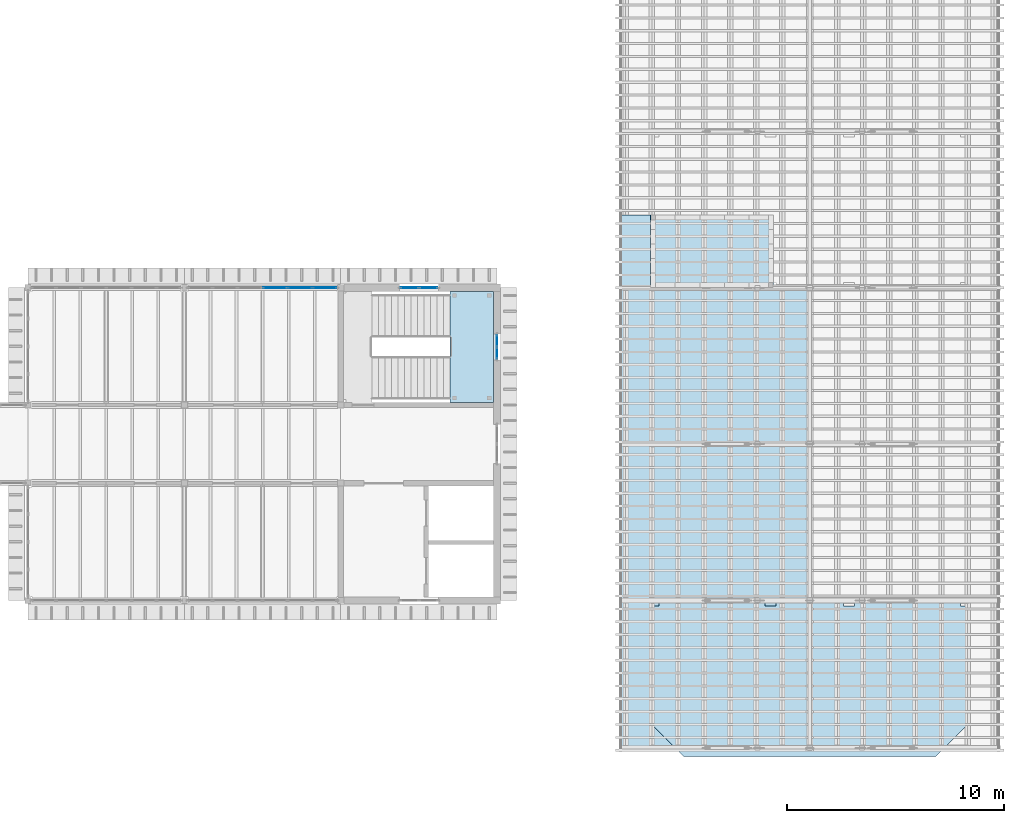
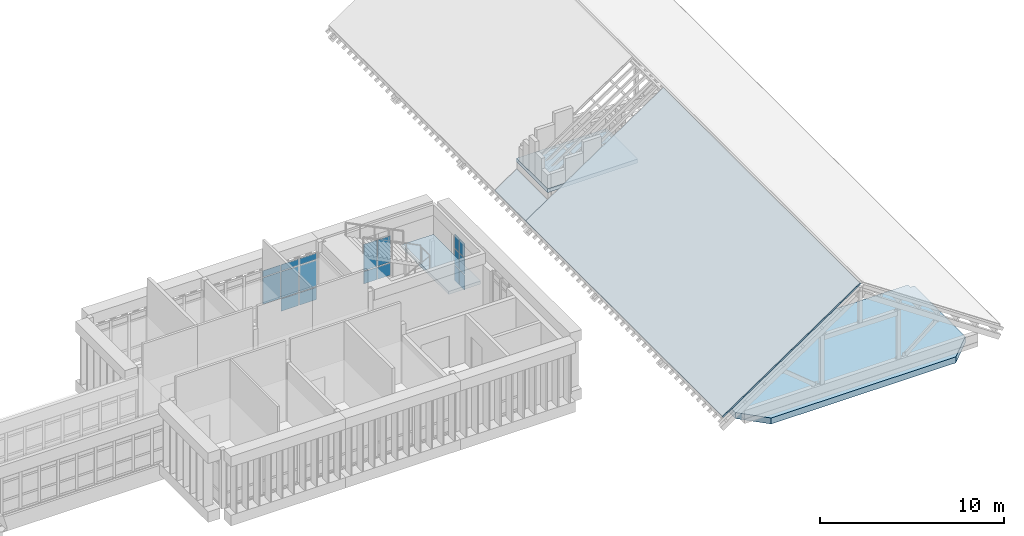
# One storey, part 28 of 51: 18 plates, 5 slabs, 4 elements without a shape of their own.
"""IFC4 building model written with IfcOpenShell, lengths in metres."""

from ifc_helpers import new_model, si_unit, direction, frame, origin, origin_2d, place, context, subcontext, project, spatial, polyline, rectangle, outline, extrude, material, layer, layer_set, type_object, element, aggregate, save


model = new_model("IFC4")

# Units and contexts
model_context = context("Model", 3, precision=1e-05, world=origin(), true_north=direction((0.0, 1.0)))
body_context = subcontext(model_context, "Body", "Model", "MODEL_VIEW")
ifc_project = project(units=[si_unit("LENGTHUNIT", "METRE"), si_unit("AREAUNIT", "SQUARE_METRE"), si_unit("VOLUMEUNIT", "CUBIC_METRE"), si_unit("PLANEANGLEUNIT", "RADIAN"), si_unit("MASSUNIT", "GRAM", prefix="KILO")], contexts=[model_context])

# Site, building, storey
site_placement = place(None, origin())
site = spatial("IfcSite", under=ifc_project, at=site_placement, CompositionType="ELEMENT")
building_placement = place(site_placement, origin())
building = spatial("IfcBuilding", under=site, at=building_placement, Name="Mazhai Court Health Centre", CompositionType="ELEMENT")
storey_placement = place(building_placement, frame((0.0, 0.0, 14.10009765625)))
storey = spatial("IfcBuildingStorey", under=building, at=storey_placement, Name="L03", CompositionType="ELEMENT", Elevation=14.10009765625)

# Slabs
ifc_material_1 = material(Name="CLT C24 3-ply", Category="wood")
ifc_layer_1 = layer(ifc_material_1, 0.10009765625)
ifc_layer_set_1 = layer_set([ifc_layer_1], Name="CLT C24 3-ply roof panel 100")
slab_type_1 = type_object("IfcSlabType", Name="CLT C24 3-ply roof panel 100", PredefinedType="ROOF", material=ifc_layer_set_1)
slab_1_placement = place(storey_placement, frame((142.944091796875, 6.449951171875, 6.496826171875), z_axis=(-0.559182466055, 0.0, 0.829044612585), x_axis=(-0.829044612585, 0.0, -0.559182466055)))
element("IfcSlab", 1, at=slab_1_placement, inside=storey, type_object=slab_type_1, Name="Roof slab RV6-RS1", PredefinedType="ROOF", context=body_context, shape_type="SweptSolid", body=[
    extrude(outline(polyline([(0.0, 0.0), (10.426511236585272, 0.0), (10.426511236585272, -21.35009765625), (0.0, -21.35009765625), (0.0, 0.0)])), origin(), (0.0, 0.0, -1.0), 0.10009765625),
])
slab_2_placement = place(storey_placement, frame((134.300048828125, 31.14990234375, 0.66650390625), z_axis=(-0.559209903354, 0.0, 0.829026105735), x_axis=(0.829026105735, 0.0, 0.559209903354)))
element("IfcSlab", 2, at=slab_2_placement, inside=storey, type_object=slab_type_1, Name="Roof slab RV6-RS1", PredefinedType="ROOF", context=body_context, shape_type="SweptSolid", body=[
    extrude(outline(polyline([(0.0, 0.0), (1.6585726197128037, 0.0), (1.6585726197128037, -3.349853515625), (0.0, -3.349853515625), (0.0, 0.0)])), origin(), (0.0, 0.0, -1.0), 0.10009765625),
])

# Curtain wall, plates
ifc_material_2 = material(Name="Teak timber frame, glazed", Category="wood")
ifc_layer_2 = layer(ifc_material_2, 0.10009765625)
ifc_layer_set_2 = layer_set([ifc_layer_2], Name="CURTAIN WALL TIMBER 900")
curtain_wall_type_1 = type_object("IfcCurtainWallType", Name="CURTAIN WALL TIMBER 900", PredefinedType="NOTDEFINED", material=ifc_layer_set_2)
curtain_wall_1_placement = place(storey_placement, origin())
curtain_wall_1 = element("IfcCurtainWall", 3, at=curtain_wall_1_placement, inside=storey, type_object=curtain_wall_type_1, Name="CW-V4-L03-B7", PredefinedType="NOTDEFINED")
ifc_material_3 = material(Name="Glass IGU 28 mm", Category="glass")
ifc_layer_3 = layer(ifc_material_3, 0.028076171875)
ifc_layer_set_3 = layer_set([ifc_layer_3], Name="CW PANEL IGU 28")
plate_type = type_object("IfcPlateType", Name="CW PANEL IGU 28", PredefinedType="CURTAIN_PANEL", material=ifc_layer_set_3)
plate_1_placement = place(storey_placement, frame((124.56494140625, 27.800048828125, 0.059814453125), z_axis=(0.0, 0.0, 1.0), x_axis=(1.0, 0.0, 0.0)))
plate_1 = element("IfcPlate", 4, at=plate_1_placement, type_object=plate_type, Name="CW panel 1.1", PredefinedType="CURTAIN_PANEL", context=body_context, shape_type="SweptSolid", body=[
    extrude(rectangle(XDim=0.81005859375, YDim=0.028076171875, at=origin_2d()), origin(), (0.0, 0.0, 1.0), 0.81005859375),
])
plate_2_placement = place(storey_placement, frame((124.56494140625, 27.800048828125, 0.9296875), z_axis=(0.0, 0.0, 1.0), x_axis=(1.0, 0.0, 0.0)))
plate_2 = element("IfcPlate", 5, at=plate_2_placement, type_object=plate_type, Name="CW panel 1.2", PredefinedType="CURTAIN_PANEL", context=body_context, shape_type="SweptSolid", body=[
    extrude(rectangle(XDim=0.81005859375, YDim=0.028076171875, at=origin_2d()), origin(), (0.0, 0.0, 1.0), 1.739990234375),
])
plate_3_placement = place(storey_placement, frame((125.43505859375, 27.800048828125, 0.059814453125), z_axis=(0.0, 0.0, 1.0), x_axis=(1.0, 0.0, 0.0)))
plate_3 = element("IfcPlate", 6, at=plate_3_placement, type_object=plate_type, Name="CW panel 2.1", PredefinedType="CURTAIN_PANEL", context=body_context, shape_type="SweptSolid", body=[
    extrude(rectangle(XDim=0.81005859375, YDim=0.028076171875, at=origin_2d()), origin(), (0.0, 0.0, 1.0), 0.81005859375),
])
plate_4_placement = place(storey_placement, frame((125.43505859375, 27.800048828125, 0.9296875), z_axis=(0.0, 0.0, 1.0), x_axis=(1.0, 0.0, 0.0)))
plate_4 = element("IfcPlate", 7, at=plate_4_placement, type_object=plate_type, Name="CW panel 2.2", PredefinedType="CURTAIN_PANEL", context=body_context, shape_type="SweptSolid", body=[
    extrude(rectangle(XDim=0.81005859375, YDim=0.028076171875, at=origin_2d()), origin(), (0.0, 0.0, 1.0), 1.739990234375),
])
aggregate(curtain_wall_1, [plate_1, plate_2, plate_3, plate_4])

ifc_material_4 = material(Name="Teak timber frame, glazed", Category="wood")
ifc_layer_4 = layer(ifc_material_4, 0.10009765625)
ifc_layer_set_4 = layer_set([ifc_layer_4], Name="CURTAIN WALL TIMBER 600")
curtain_wall_type_2 = type_object("IfcCurtainWallType", Name="CURTAIN WALL TIMBER 600", PredefinedType="NOTDEFINED", material=ifc_layer_set_4)
curtain_wall_2_placement = place(storey_placement, origin())
curtain_wall_2 = element("IfcCurtainWall", 8, at=curtain_wall_2_placement, inside=storey, type_object=curtain_wall_type_2, Name="CW-V4-L03-ESTAIR1", PredefinedType="NOTDEFINED")
plate_5_placement = place(storey_placement, frame((128.60009765625, 25.364990234375, 0.06005859375), z_axis=(0.0, 0.0, 1.0), x_axis=(0.0, -1.0, 0.0)))
plate_5 = element("IfcPlate", 9, at=plate_5_placement, type_object=plate_type, Name="CW panel 1.1", PredefinedType="CURTAIN_PANEL", context=body_context, shape_type="SweptSolid", body=[
    extrude(rectangle(XDim=0.510009765625, YDim=0.028076171875, at=origin_2d()), origin(), (0.0, 0.0, 1.0), 1.010009765625),
])
plate_6_placement = place(storey_placement, frame((128.60009765625, 25.364990234375, 1.1298828125), z_axis=(0.0, 0.0, 1.0), x_axis=(0.0, -1.0, 0.0)))
plate_6 = element("IfcPlate", 10, at=plate_6_placement, type_object=plate_type, Name="CW panel 1.2", PredefinedType="CURTAIN_PANEL", context=body_context, shape_type="SweptSolid", body=[
    extrude(rectangle(XDim=0.510009765625, YDim=0.028076171875, at=origin_2d()), origin(), (0.0, 0.0, 1.0), 1.0400390625),
])
plate_7_placement = place(storey_placement, frame((128.60009765625, 25.364990234375, 2.22998046875), z_axis=(0.0, 0.0, 1.0), x_axis=(0.0, -1.0, 0.0)))
plate_7 = element("IfcPlate", 11, at=plate_7_placement, type_object=plate_type, Name="CW panel 1.3", PredefinedType="CURTAIN_PANEL", context=body_context, shape_type="SweptSolid", body=[
    extrude(rectangle(XDim=0.510009765625, YDim=0.028076171875, at=origin_2d()), origin(), (0.0, 0.0, 1.0), 0.909912109375),
])
plate_8_placement = place(storey_placement, frame((128.60009765625, 24.794921875, 0.06005859375), z_axis=(0.0, 0.0, 1.0), x_axis=(0.0, -1.0, 0.0)))
plate_8 = element("IfcPlate", 12, at=plate_8_placement, type_object=plate_type, Name="CW panel 2.1", PredefinedType="CURTAIN_PANEL", context=body_context, shape_type="SweptSolid", body=[
    extrude(rectangle(XDim=0.510009765625, YDim=0.028076171875, at=origin_2d()), origin(), (0.0, 0.0, 1.0), 1.010009765625),
])
plate_9_placement = place(storey_placement, frame((128.60009765625, 24.794921875, 1.1298828125), z_axis=(0.0, 0.0, 1.0), x_axis=(0.0, -1.0, 0.0)))
plate_9 = element("IfcPlate", 13, at=plate_9_placement, type_object=plate_type, Name="CW panel 2.2", PredefinedType="CURTAIN_PANEL", context=body_context, shape_type="SweptSolid", body=[
    extrude(rectangle(XDim=0.510009765625, YDim=0.028076171875, at=origin_2d()), origin(), (0.0, 0.0, 1.0), 1.0400390625),
])
plate_10_placement = place(storey_placement, frame((128.60009765625, 24.794921875, 2.22998046875), z_axis=(0.0, 0.0, 1.0), x_axis=(0.0, -1.0, 0.0)))
plate_10 = element("IfcPlate", 14, at=plate_10_placement, type_object=plate_type, Name="CW panel 2.3", PredefinedType="CURTAIN_PANEL", context=body_context, shape_type="SweptSolid", body=[
    extrude(rectangle(XDim=0.510009765625, YDim=0.028076171875, at=origin_2d()), origin(), (0.0, 0.0, 1.0), 0.909912109375),
])
aggregate(curtain_wall_2, [plate_5, plate_6, plate_7, plate_8, plate_9, plate_10])

ifc_material_5 = material(Name="Teak timber frame, glazed", Category="wood")
ifc_layer_5 = layer(ifc_material_5, 0.10009765625)
ifc_layer_set_5 = layer_set([ifc_layer_5], Name="CURTAIN WALL TIMBER 1200")
curtain_wall_type_3 = type_object("IfcCurtainWallType", Name="CURTAIN WALL TIMBER 1200", PredefinedType="NOTDEFINED", material=ifc_layer_set_5)
curtain_wall_3_placement = place(storey_placement, origin())
curtain_wall_3 = element("IfcCurtainWall", 15, at=curtain_wall_3_placement, inside=storey, type_object=curtain_wall_type_3, Name="CW-V4-L03-B6", PredefinedType="NOTDEFINED")
plate_11_placement = place(storey_placement, frame((118.376708984375, 27.800048828125, 0.9296875), z_axis=(0.0, 0.0, 1.0), x_axis=(1.0, 0.0, 0.0)))
plate_11 = element("IfcPlate", 16, at=plate_11_placement, type_object=plate_type, Name="CW panel 4.2", PredefinedType="CURTAIN_PANEL", context=body_context, shape_type="SweptSolid", body=[
    extrude(rectangle(XDim=1.09326171875, YDim=0.028076171875, at=origin_2d()), origin(), (0.0, 0.0, 1.0), 1.739990234375),
])
plate_12_placement = place(storey_placement, frame((118.376708984375, 27.800048828125, 2.72998046875), z_axis=(0.0, 0.0, 1.0), x_axis=(1.0, 0.0, 0.0)))
plate_12 = element("IfcPlate", 17, at=plate_12_placement, type_object=plate_type, Name="CW panel 4.3", PredefinedType="CURTAIN_PANEL", context=body_context, shape_type="SweptSolid", body=[
    extrude(rectangle(XDim=1.09326171875, YDim=0.028076171875, at=origin_2d()), origin(), (0.0, 0.0, 1.0), 0.409912109375),
])
plate_13_placement = place(storey_placement, frame((119.530029296875, 27.800048828125, 0.059814453125), z_axis=(0.0, 0.0, 1.0), x_axis=(1.0, 0.0, 0.0)))
plate_13 = element("IfcPlate", 18, at=plate_13_placement, type_object=plate_type, Name="CW panel 5.1", PredefinedType="CURTAIN_PANEL", context=body_context, shape_type="SweptSolid", body=[
    extrude(rectangle(XDim=1.09326171875, YDim=0.028076171875, at=origin_2d()), origin(), (0.0, 0.0, 1.0), 0.81005859375),
])
plate_14_placement = place(storey_placement, frame((119.530029296875, 27.800048828125, 0.9296875), z_axis=(0.0, 0.0, 1.0), x_axis=(1.0, 0.0, 0.0)))
plate_14 = element("IfcPlate", 19, at=plate_14_placement, type_object=plate_type, Name="CW panel 5.2", PredefinedType="CURTAIN_PANEL", context=body_context, shape_type="SweptSolid", body=[
    extrude(rectangle(XDim=1.09326171875, YDim=0.028076171875, at=origin_2d()), origin(), (0.0, 0.0, 1.0), 1.739990234375),
])
plate_15_placement = place(storey_placement, frame((119.530029296875, 27.800048828125, 2.72998046875), z_axis=(0.0, 0.0, 1.0), x_axis=(1.0, 0.0, 0.0)))
plate_15 = element("IfcPlate", 20, at=plate_15_placement, type_object=plate_type, Name="CW panel 5.3", PredefinedType="CURTAIN_PANEL", context=body_context, shape_type="SweptSolid", body=[
    extrude(rectangle(XDim=1.09326171875, YDim=0.028076171875, at=origin_2d()), origin(), (0.0, 0.0, 1.0), 0.409912109375),
])
plate_16_placement = place(storey_placement, frame((120.668212890625, 27.800048828125, 0.059814453125), z_axis=(0.0, 0.0, 1.0), x_axis=(1.0, 0.0, 0.0)))
plate_16 = element("IfcPlate", 21, at=plate_16_placement, type_object=plate_type, Name="CW panel 6.1", PredefinedType="CURTAIN_PANEL", context=body_context, shape_type="SweptSolid", body=[
    extrude(rectangle(XDim=1.063232421875, YDim=0.028076171875, at=origin_2d()), origin(), (0.0, 0.0, 1.0), 0.81005859375),
])
plate_17_placement = place(storey_placement, frame((120.668212890625, 27.800048828125, 0.9296875), z_axis=(0.0, 0.0, 1.0), x_axis=(1.0, 0.0, 0.0)))
plate_17 = element("IfcPlate", 22, at=plate_17_placement, type_object=plate_type, Name="CW panel 6.2", PredefinedType="CURTAIN_PANEL", context=body_context, shape_type="SweptSolid", body=[
    extrude(rectangle(XDim=1.063232421875, YDim=0.028076171875, at=origin_2d()), origin(), (0.0, 0.0, 1.0), 1.739990234375),
])
plate_18_placement = place(storey_placement, frame((120.668212890625, 27.800048828125, 2.72998046875), z_axis=(0.0, 0.0, 1.0), x_axis=(1.0, 0.0, 0.0)))
plate_18 = element("IfcPlate", 23, at=plate_18_placement, type_object=plate_type, Name="CW panel 6.3", PredefinedType="CURTAIN_PANEL", context=body_context, shape_type="SweptSolid", body=[
    extrude(rectangle(XDim=1.063232421875, YDim=0.028076171875, at=origin_2d()), origin(), (0.0, 0.0, 1.0), 0.409912109375),
])
aggregate(curtain_wall_3, [plate_11, plate_12, plate_13, plate_14, plate_15, plate_16, plate_17, plate_18])

# Slabs
ifc_material_6 = material(Name="Concrete M40", Category="concrete")
ifc_layer_6 = layer(ifc_material_6, 0.25)
ifc_layer_set_6 = layer_set([ifc_layer_6], Name="RC CORE ROOF 250 M40")
slab_type_2 = type_object("IfcSlabType", Name="RC CORE ROOF 250 M40", PredefinedType="ROOF", material=ifc_layer_set_6)
slab_3_placement = place(storey_placement, frame((0.0, 0.0, 2.06591796875)))
element("IfcSlab", 24, at=slab_3_placement, inside=storey, type_object=slab_type_2, Name="core-C9-overrun-slab", PredefinedType="ROOF", context=body_context, shape_type="SweptSolid", body=[
    extrude(outline(polyline([(135.675048828125, 27.800048828125), (135.675048828125, 31.14990234375), (141.324951171875, 31.14990234375), (141.324951171875, 27.800048828125), (135.675048828125, 27.800048828125)])), origin(), (0.0, 0.0, 1.0), 0.25),
])
ifc_material_7 = material(Name="Concrete M40", Category="concrete")
ifc_layer_7 = layer(ifc_material_7, 0.39990234375)
ifc_layer_set_7 = layer_set([ifc_layer_7], Name="RC CORE ROOF 400 M40")
slab_type_3 = type_object("IfcSlabType", Name="RC CORE ROOF 400 M40", PredefinedType="ROOF", material=ifc_layer_set_7)
slab_4_placement = place(storey_placement, frame((0.0, 0.0, -0.7001953125)))
element("IfcSlab", 25, at=slab_4_placement, inside=storey, type_object=slab_type_3, Name="core-C8-roof", PredefinedType="ROOF", context=body_context, shape_type="SweptSolid", body=[
    extrude(outline(polyline([(136.050048828125, 13.39990234375), (140.949951171875, 13.39990234375), (140.949951171875, 13.14990234375), (141.449951171875, 13.14990234375), (141.449951171875, 13.39990234375), (144.550048828125, 13.39990234375), (144.550048828125, 13.14990234375), (145.050048828125, 13.14990234375), (145.050048828125, 13.39990234375), (149.949951171875, 13.39990234375), (149.949951171875, 13.14990234375), (150.199951171875, 13.14990234375), (150.199951171875, 7.6142578125), (148.785888671875, 6.199951171875), (137.214111328125, 6.199951171875), (135.800048828125, 7.6142578125), (135.800048828125, 13.14990234375), (136.050048828125, 13.14990234375), (136.050048828125, 13.39990234375)])), origin(), (0.0, 0.0, 1.0), 0.400146484375),
])

# Stair, slab
ifc_material_8 = material(Name="Concrete M40", Category="concrete")
stair_type = type_object("IfcStairType", Name="RC STAIR 2000 26R", PredefinedType="DOUBLE_RETURN_STAIR", material=ifc_material_8)
stair_placement = place(storey_placement, origin())
stair = element("IfcStair", 26, at=stair_placement, inside=storey, type_object=stair_type, Name="L03 Stair 7", PredefinedType="HALF_TURN_STAIR")
ifc_material_9 = material(Name="Concrete M40", Category="concrete")
ifc_layer_8 = layer(ifc_material_9, 0.199951171875)
ifc_layer_set_8 = layer_set([ifc_layer_8], Name="RC STAIR LANDING 200 M40")
slab_type_4 = type_object("IfcSlabType", Name="RC STAIR LANDING 200 M40", PredefinedType="LANDING", material=ifc_layer_set_8)
slab_5_placement = place(storey_placement, frame((0.0, 0.0, 1.75)))
slab_5 = element("IfcSlab", 27, at=slab_5_placement, type_object=slab_type_4, Name="ST7 landing 1", PredefinedType="LANDING", context=body_context, shape_type="SweptSolid", body=[
    extrude(outline(polyline([(126.43505859375, 22.52490234375), (128.43505859375, 22.52490234375), (128.43505859375, 27.635009765625), (126.43505859375, 27.635009765625), (126.43505859375, 22.52490234375)])), origin(), (0.0, 0.0, 1.0), 0.199951171875),
])
aggregate(stair, [slab_5])

save(model, "model.ifc")
